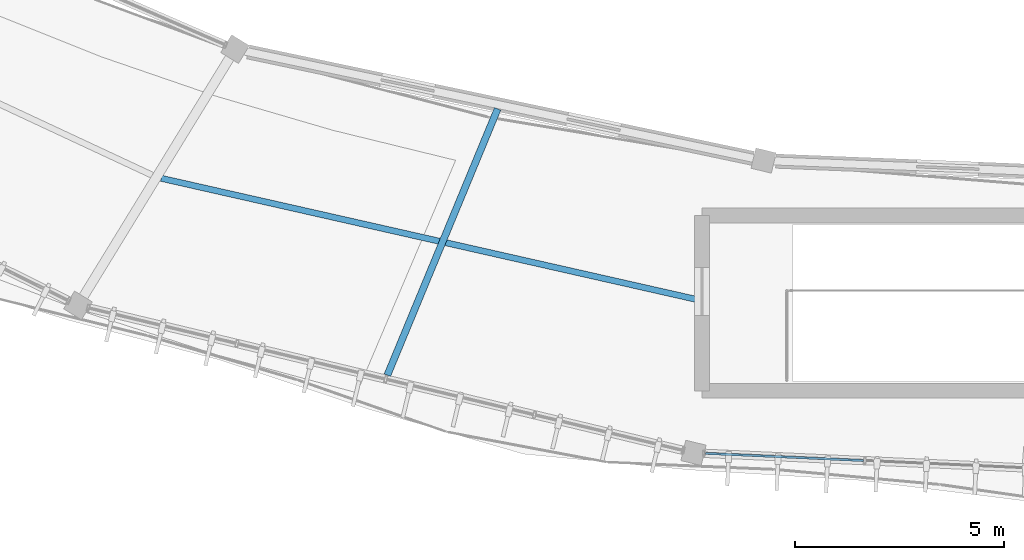
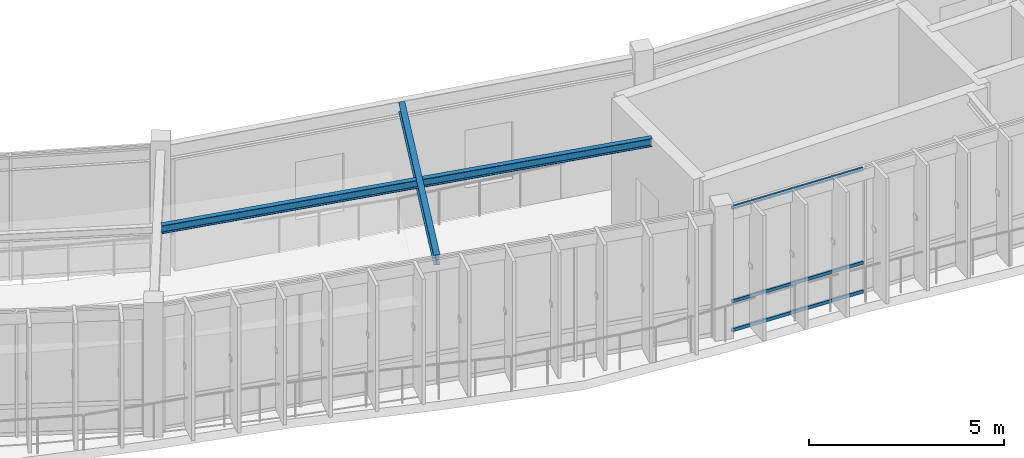
# One storey, part 13 of 78: 3 members, 2 beams, 1 element without a shape of its own.
"""IFC4 building model written with IfcOpenShell, lengths in metres."""

from ifc_helpers import new_model, si_unit, direction, frame, origin, origin_2d, place, context, subcontext, project, spatial, hollow_rectangle, i_section, extrude, material, material_profile, profile_set, type_object, element, aggregate, save


model = new_model("IFC4")

# Units and contexts
model_context = context("Model", 3, precision=1e-05, world=origin(), true_north=direction((0.0, 1.0)))
body_context = subcontext(model_context, "Body", "Model", "MODEL_VIEW")
ifc_project = project(units=[si_unit("LENGTHUNIT", "METRE"), si_unit("AREAUNIT", "SQUARE_METRE"), si_unit("VOLUMEUNIT", "CUBIC_METRE"), si_unit("PLANEANGLEUNIT", "RADIAN"), si_unit("MASSUNIT", "GRAM", prefix="KILO"), si_unit("THERMODYNAMICTEMPERATUREUNIT", "KELVIN"), si_unit("POWERUNIT", "WATT")], contexts=[model_context])

# Site, building, storey
site_placement = place(None, origin())
site = spatial("IfcSite", under=ifc_project, at=site_placement, CompositionType="ELEMENT")
building_placement = place(site_placement, origin())
building = spatial("IfcBuilding", under=site, at=building_placement, Name="Darbajah Civic Hall", CompositionType="ELEMENT")
storey_placement = place(building_placement, frame((0.0, 0.0, 26.39990234375)))
storey = spatial("IfcBuildingStorey", under=building, at=storey_placement, Name="L06", CompositionType="ELEMENT", Elevation=26.39990234375)

# Curtain wall, members
ifc_material_1 = material(Name="Anodised Bronze Aluminium and Low-E Glazing", Category="aluminium")
curtain_wall_type = type_object("IfcCurtainWallType", Name="Unitised Curtain Wall CW-84 15400x3900", PredefinedType="USERDEFINED", material=ifc_material_1)
curtain_wall_placement = place(storey_placement, origin())
curtain_wall = element("IfcCurtainWall", 1, at=curtain_wall_placement, inside=storey, type_object=curtain_wall_type, Name="L06 unitised curtain wall CW-V1O-L06-14", ObjectType="UNITISED CURTAIN WALL", PredefinedType="USERDEFINED")
ifc_material_2 = material(Name="Anodised Bronze Aluminium", Category="aluminium")
ifc_material_profile_1 = material_profile(ifc_material_2, hollow_rectangle(XDim=0.054931640625, YDim=0.10009765625, WallThickness=0.0029296875, at=origin_2d()), Name="ALU TRANSOM 55x100")
ifc_profile_set_1 = profile_set([ifc_material_profile_1], Name="Anodised Bronze Aluminium")
member_type = type_object("IfcMemberType", Name="ALU TRANSOM 55x100", PredefinedType="USERDEFINED", material=ifc_profile_set_1)
member_1_placement = place(storey_placement, frame((77.478515625, 61.10205078125, 0.050048828125), z_axis=(0.998965216906, -0.045480714718, 0.0), x_axis=(0.045480714718, 0.998965216906, 0.0)))
member_1 = element("IfcMember", 2, at=member_1_placement, type_object=member_type, Name="CW-V1O-L06-14 transom 1.1", ObjectType="TRANSOM", PredefinedType="USERDEFINED", context=body_context, shape_type="SweptSolid", body=[
    extrude(hollow_rectangle(XDim=0.054931640625, YDim=0.10009765625, WallThickness=0.0029296875, at=origin_2d()), origin(), (0.0, 0.0, 1.0), 3.789794921875),
])
member_2_placement = place(storey_placement, frame((77.478515625, 61.10205078125, 0.9501953125), z_axis=(0.998965216906, -0.045480714718, 0.0), x_axis=(0.045480714718, 0.998965216906, 0.0)))
member_2 = element("IfcMember", 3, at=member_2_placement, type_object=member_type, Name="CW-V1O-L06-14 transom 1.2", ObjectType="TRANSOM", PredefinedType="USERDEFINED", context=body_context, shape_type="SweptSolid", body=[
    extrude(hollow_rectangle(XDim=0.054931640625, YDim=0.10009765625, WallThickness=0.0029296875, at=origin_2d()), origin(), (0.0, 0.0, 1.0), 3.789794921875),
])
member_3_placement = place(storey_placement, frame((77.478515625, 61.10205078125, 3.8701171875), z_axis=(0.998965216906, -0.045480714718, 0.0), x_axis=(0.045480714718, 0.998965216906, 0.0)))
member_3 = element("IfcMember", 4, at=member_3_placement, type_object=member_type, Name="CW-V1O-L06-14 transom 1.3", ObjectType="TRANSOM", PredefinedType="USERDEFINED", context=body_context, shape_type="SweptSolid", body=[
    extrude(hollow_rectangle(XDim=0.054931640625, YDim=0.10009765625, WallThickness=0.0029296875, at=origin_2d()), origin(), (0.0, 0.0, 1.0), 3.789794921875),
])
aggregate(curtain_wall, [member_1, member_2, member_3])

# Beams
ifc_material_3 = material(Name="Steel S355JR", Category="steel")
ifc_material_profile_2 = material_profile(ifc_material_3, i_section(OverallWidth=0.146484375, OverallDepth=0.256103515625, WebThickness=0.00634765625, FlangeThickness=0.010986328125, FilletRadius=0.007568359375, at=origin_2d()), Name="UB 254x146x37")
ifc_profile_set_2 = profile_set([ifc_material_profile_2], Name="Steel S355JR")
beam_type_1 = type_object("IfcBeamType", Name="UB 254x146x37", PredefinedType="JOIST", material=ifc_profile_set_2)
beam_1_placement = place(storey_placement, frame((64.44677734375, 67.69091796875, 3.7919921875), z_axis=(0.975333080849, -0.220738264473, 0.0), x_axis=(0.220738264473, 0.975333080849, 0.0)))
element("IfcBeam", 5, at=beam_1_placement, inside=storey, type_object=beam_type_1, Name="L06 beam SJ-254", PredefinedType="JOIST", context=body_context, shape_type="SweptSolid", body=[
    extrude(i_section(OverallWidth=0.146484375, OverallDepth=0.256103515625, WebThickness=0.00634765625, FlangeThickness=0.010986328125, FilletRadius=0.007568359375, at=origin_2d()), origin(), (0.0, 0.0, 1.0), 13.13720703125),
])
ifc_material_profile_3 = material_profile(ifc_material_3, i_section(OverallWidth=0.165771484375, OverallDepth=0.306640625, WebThickness=0.006591796875, FlangeThickness=0.01171875, FilletRadius=0.0087890625, at=origin_2d()), Name="UB 305x165x46")
ifc_profile_set_3 = profile_set([ifc_material_profile_3], Name="Steel S355JR")
beam_type_2 = type_object("IfcBeamType", Name="UB 305x165x46", PredefinedType="JOIST", material=ifc_profile_set_3)
beam_2_placement = place(storey_placement, frame((72.50439453125, 69.353271484375, 3.766845703125), z_axis=(-0.382685995053, -0.923878471007, 0.0), x_axis=(0.923878471007, -0.382685995053, 0.0)))
element("IfcBeam", 6, at=beam_2_placement, inside=storey, type_object=beam_type_2, Name="L06 beam SJ-305", PredefinedType="JOIST", context=body_context, shape_type="SweptSolid", body=[
    extrude(i_section(OverallWidth=0.165771484375, OverallDepth=0.306640625, WebThickness=0.006591796875, FlangeThickness=0.01171875, FilletRadius=0.0087890625, at=origin_2d()), origin(), (0.0, 0.0, 1.0), 6.9033203125),
])

save(model, "model.ifc")
